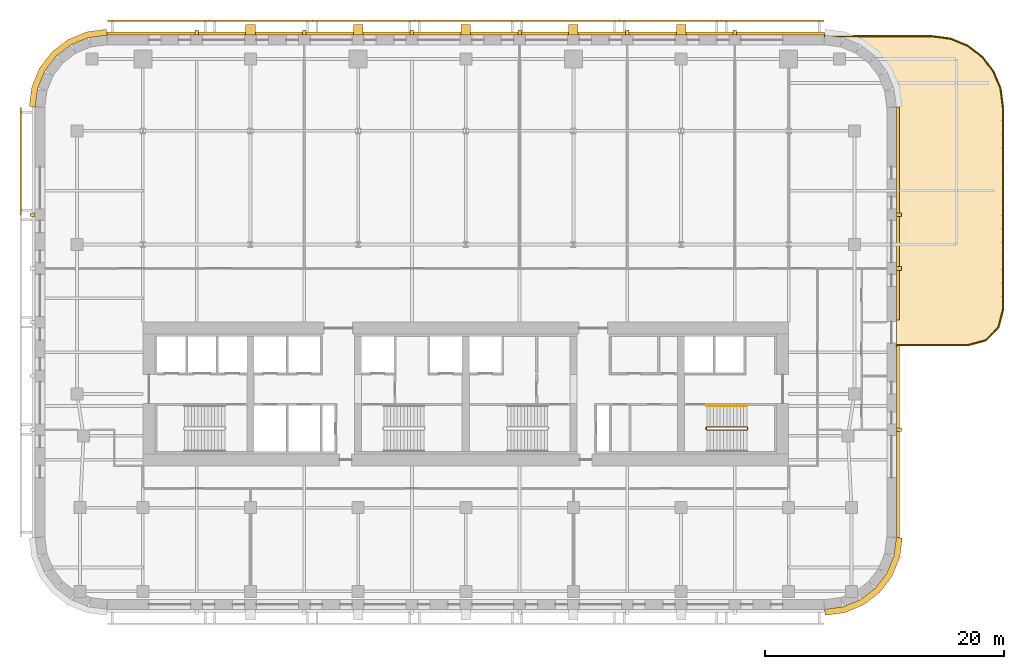
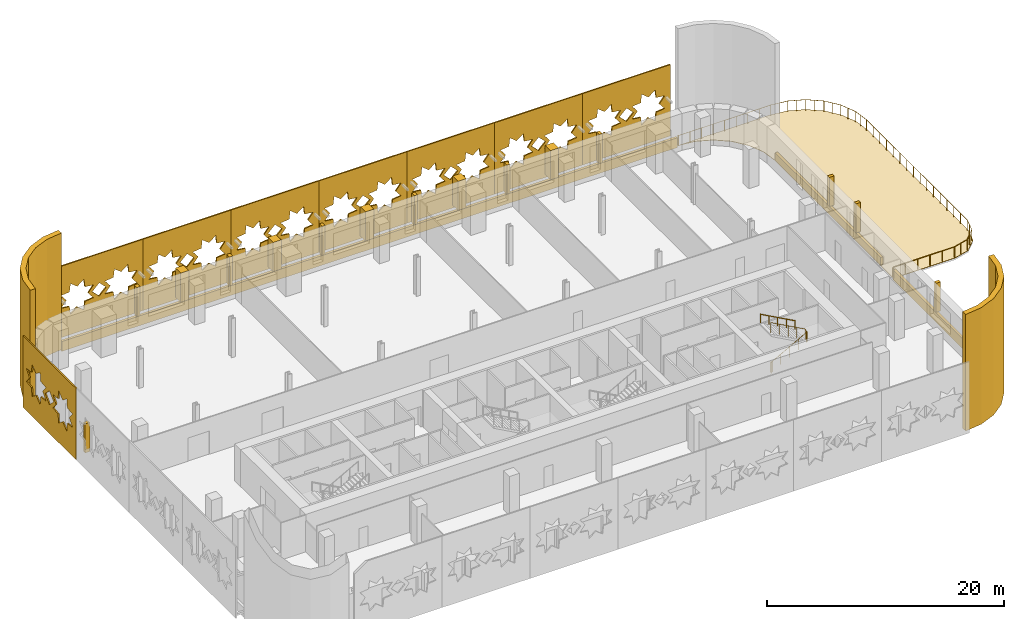
# One storey, part 10 of 11: 29 coverings, 3 railings.
"""IFC4 building model written with IfcOpenShell, lengths in metres."""

from ifc_helpers import new_model, si_unit, direction, frame, origin, origin_2d, place, context, subcontext, project, spatial, polyline, circle, outline, extrude, material, layer, layer_set, type_object, element, save


model = new_model("IFC4")

# Units and contexts
model_context = context("Model", 3, precision=1e-05, world=origin(), true_north=direction((0.0, 1.0)))
body_context = subcontext(model_context, "Body", "Model", "MODEL_VIEW")
ifc_project = project(units=[si_unit("LENGTHUNIT", "METRE"), si_unit("AREAUNIT", "SQUARE_METRE"), si_unit("VOLUMEUNIT", "CUBIC_METRE"), si_unit("PLANEANGLEUNIT", "RADIAN"), si_unit("MASSUNIT", "GRAM", prefix="KILO")], contexts=[model_context])

# Site, building, storey
site_placement = place(None, origin())
site = spatial("IfcSite", under=ifc_project, at=site_placement, CompositionType="ELEMENT")
building_placement = place(site_placement, origin())
building = spatial("IfcBuilding", under=site, at=building_placement, Name="Zellij Exchange Tower", CompositionType="ELEMENT")
storey_placement = place(building_placement, frame((0.0, 0.0, 144.5)))
storey = spatial("IfcBuildingStorey", under=building, at=storey_placement, Name="L32", CompositionType="ELEMENT", Elevation=144.5)

# Railings
ifc_material_1 = material(Name="Stainless steel", Category="steel")
railing_type_1 = type_object("IfcRailingType", Name="CORE-RG stair guard", PredefinedType="GUARDRAIL", material=ifc_material_1)
railing_1_placement = place(storey_placement, frame((20.10009765625, -10.949951171875, 0.0)))
element("IfcRailing", 1, at=railing_1_placement, inside=storey, type_object=railing_type_1, Name="ST4 stair guard L32", PredefinedType="GUARDRAIL", context=body_context, shape_type="SweptSolid", body=[
    extrude(circle(Radius=0.02392578125, at=origin_2d()), frame((0.0, 0.0, 1.076171875), z_axis=(0.0, 1.0, 0.0), x_axis=(-1.0, 0.0, 0.0)), (0.0, 0.0, 1.0), 0.14990234375),
    extrude(circle(Radius=0.02392578125, at=origin_2d()), frame((0.0, 0.14990234375, 1.076171875), z_axis=(0.193691321961, -0.777613689637, 0.598164376644), x_axis=(0.970351222016, 0.241699205484, 0.0)), (0.0, 0.0, 1.0), 0.257080078125),
    extrude(circle(Radius=0.02392578125, at=origin_2d()), frame((0.0498046875, -0.050048828125, 1.22998046875), z_axis=(0.876421534553, 0.0, 0.481544695509), x_axis=(0.0, 1.0, 0.0)), (0.0, 0.0, 1.0), 3.833984375),
    extrude(circle(Radius=0.02392578125, at=origin_2d()), frame((3.409912109375, -0.050048828125, 3.076171875), z_axis=(0.707106781187, 0.707106781187, 0.0), x_axis=(-0.707106781187, 0.707106781187, 0.0)), (0.0, 0.0, 1.0), 0.07080078125),
    extrude(circle(Radius=0.02392578125, at=origin_2d()), frame((3.4599609375, 0.0, 3.076171875), z_axis=(0.0, 1.0, 0.0), x_axis=(-1.0, 0.0, 0.0)), (0.0, 0.0, 1.0), 0.14990234375),
    extrude(circle(Radius=0.02392578125, at=origin_2d()), frame((3.4599609375, 0.14990234375, 3.076171875), z_axis=(-0.295599637079, 0.295599637079, 0.908428152975), x_axis=(-0.707106781187, -0.707106781187, 0.0)), (0.0, 0.0, 1.0), 0.16943359375),
    extrude(circle(Radius=0.02392578125, at=origin_2d()), frame((3.409912109375, 0.199951171875, 3.22998046875), z_axis=(-0.876421534553, 0.0, 0.481544695509), x_axis=(0.0, -1.0, 0.0)), (0.0, 0.0, 1.0), 3.833984375),
    extrude(circle(Radius=0.02099609375, at=origin_2d()), origin(), (0.0, 0.0, 1.0), 1.052001953125),
    extrude(circle(Radius=0.02099609375, at=origin_2d()), frame((0.0, 0.14990234375, 0.0)), (0.0, 0.0, 1.0), 1.052001953125),
    extrude(circle(Radius=0.02099609375, at=origin_2d()), frame((0.0498046875, -0.050048828125, 0.15380859375)), (0.0, 0.0, 1.0), 1.052001953125),
    extrude(circle(Radius=0.02099609375, at=origin_2d()), frame((0.889892578125, -0.050048828125, 0.615234375)), (0.0, 0.0, 1.0), 1.052001953125),
    extrude(circle(Radius=0.02099609375, at=origin_2d()), frame((1.72998046875, -0.050048828125, 1.076904296875)), (0.0, 0.0, 1.0), 1.052001953125),
    extrude(circle(Radius=0.02099609375, at=origin_2d()), frame((2.56982421875, -0.050048828125, 1.53857421875)), (0.0, 0.0, 1.0), 1.052001953125),
    extrude(circle(Radius=0.02099609375, at=origin_2d()), frame((3.409912109375, -0.050048828125, 2.0)), (0.0, 0.0, 1.0), 1.052001953125),
    extrude(circle(Radius=0.02099609375, at=origin_2d()), frame((3.4599609375, 0.0, 2.0)), (0.0, 0.0, 1.0), 1.052001953125),
    extrude(circle(Radius=0.02099609375, at=origin_2d()), frame((3.4599609375, 0.14990234375, 2.0)), (0.0, 0.0, 1.0), 1.052001953125),
    extrude(circle(Radius=0.02099609375, at=origin_2d()), frame((3.409912109375, 0.199951171875, 2.15380859375)), (0.0, 0.0, 1.0), 1.052001953125),
    extrude(circle(Radius=0.02099609375, at=origin_2d()), frame((2.56982421875, 0.199951171875, 2.615234375)), (0.0, 0.0, 1.0), 1.052001953125),
    extrude(circle(Radius=0.02099609375, at=origin_2d()), frame((1.72998046875, 0.199951171875, 3.076904296875)), (0.0, 0.0, 1.0), 1.052001953125),
    extrude(circle(Radius=0.02099609375, at=origin_2d()), frame((0.889892578125, 0.199951171875, 3.53857421875)), (0.0, 0.0, 1.0), 1.052001953125),
    extrude(circle(Radius=0.02099609375, at=origin_2d()), frame((0.0498046875, 0.199951171875, 4.0)), (0.0, 0.0, 1.0), 1.052001953125),
])
railing_type_2 = type_object("IfcRailingType", Name="CORE-RH stair handrail", PredefinedType="HANDRAIL", material=ifc_material_1)
railing_2_placement = place(storey_placement, frame((23.510009765625, -9.0, 2.15380859375)))
element("IfcRailing", 2, at=railing_2_placement, inside=storey, type_object=railing_type_2, Name="ST4 stair handrail L32", PredefinedType="HANDRAIL", context=body_context, shape_type="SweptSolid", body=[
    extrude(circle(Radius=0.02392578125, at=origin_2d()), frame((0.0, 0.0, 0.8759765625), z_axis=(-0.876421534553, 0.0, 0.481544695509), x_axis=(0.0, -1.0, 0.0)), (0.0, 0.0, 1.0), 3.833984375),
    extrude(circle(Radius=0.02099609375, at=origin_2d()), origin(), (0.0, 0.0, 1.0), 0.851806640625),
    extrude(circle(Radius=0.02099609375, at=origin_2d()), frame((-0.840087890625, 0.0, 0.46142578125)), (0.0, 0.0, 1.0), 0.851806640625),
    extrude(circle(Radius=0.02099609375, at=origin_2d()), frame((-1.68017578125, 0.0, 0.923095703125)), (0.0, 0.0, 1.0), 0.851806640625),
    extrude(circle(Radius=0.02099609375, at=origin_2d()), frame((-2.52001953125, 0.0, 1.384765625)), (0.0, 0.0, 1.0), 0.851806640625),
    extrude(circle(Radius=0.02099609375, at=origin_2d()), frame((-3.360107421875, 0.0, 1.84619140625)), (0.0, 0.0, 1.0), 0.851806640625),
])

# Coverings
ifc_material_2 = material(Name="Limestone cladding", Category="masonry")
ifc_layer_1 = layer(ifc_material_2, 0.5)
ifc_layer_set_1 = layer_set([ifc_layer_1], Name="Limestone cladding")
covering_type_1 = type_object("IfcCoveringType", Name="ENV-CV12 Stone corner pier 500", PredefinedType="CLADDING", material=ifc_layer_set_1)
covering_1_placement = place(storey_placement, origin())
element("IfcCovering", 3, at=covering_1_placement, inside=storey, type_object=covering_type_1, Name="Stone corner pier", PredefinedType="CLADDING", context=body_context, shape_type="SweptSolid", body=[
    extrude(outline(polyline([(30.0, -26.0), (31.552978515625, -25.795654296875), (33.0, -25.1962890625), (34.24267578125, -24.24267578125), (35.1962890625, -23.0), (35.795654296875, -21.552978515625), (36.0, -20.0), (36.5, -20.03271484375), (36.28271484375, -21.683349609375), (35.6328125, -23.252197265625), (34.59912109375, -24.59912109375), (33.252197265625, -25.6328125), (31.683349609375, -26.28271484375), (30.03271484375, -26.5), (30.0, -26.0)])), origin(), (0.0, 0.0, 1.0), 12.0),
])
covering_2_placement = place(storey_placement, origin())
element("IfcCovering", 4, at=covering_2_placement, inside=storey, type_object=covering_type_1, Name="Stone corner pier", PredefinedType="CLADDING", context=body_context, shape_type="SweptSolid", body=[
    extrude(outline(polyline([(-30.0, 22.0), (-31.552978515625, 21.795654296875), (-33.0, 21.1962890625), (-34.24267578125, 20.24267578125), (-35.1962890625, 19.0), (-35.795654296875, 17.552978515625), (-36.0, 16.0), (-36.5, 16.03271484375), (-36.28271484375, 17.683349609375), (-35.6328125, 19.252197265625), (-34.59912109375, 20.59912109375), (-33.252197265625, 21.6328125), (-31.683349609375, 22.28271484375), (-30.03271484375, 22.5), (-30.0, 22.0)])), origin(), (0.0, 0.0, 1.0), 12.0),
])
covering_type_2 = type_object("IfcCoveringType", Name="ENV-CV5 Stone pier 800x900", PredefinedType="CLADDING", material=ifc_material_2)
covering_3_placement = place(storey_placement, frame((0.0, 0.0, 0.800048828125)))
element("IfcCovering", 5, at=covering_3_placement, inside=storey, type_object=covering_type_2, Name="Stone pier", PredefinedType="CLADDING", context=body_context, shape_type="SweptSolid", body=[
    extrude(outline(polyline([(18.39990234375, 22.0), (17.60009765625, 22.0), (17.60009765625, 22.89990234375), (18.39990234375, 22.89990234375), (18.39990234375, 22.0)])), origin(), (0.0, 0.0, 1.0), 3.0),
])
covering_4_placement = place(storey_placement, frame((0.0, 0.0, 0.800048828125)))
element("IfcCovering", 6, at=covering_4_placement, inside=storey, type_object=covering_type_2, Name="Stone pier", PredefinedType="CLADDING", context=body_context, shape_type="SweptSolid", body=[
    extrude(outline(polyline([(9.39990234375, 22.0), (8.60009765625, 22.0), (8.60009765625, 22.89990234375), (9.39990234375, 22.89990234375), (9.39990234375, 22.0)])), origin(), (0.0, 0.0, 1.0), 3.0),
])
covering_5_placement = place(storey_placement, frame((0.0, 0.0, 0.800048828125)))
element("IfcCovering", 7, at=covering_5_placement, inside=storey, type_object=covering_type_2, Name="Stone pier", PredefinedType="CLADDING", context=body_context, shape_type="SweptSolid", body=[
    extrude(outline(polyline([(0.39990234375, 22.0), (-0.39990234375, 22.0), (-0.39990234375, 22.89990234375), (0.39990234375, 22.89990234375), (0.39990234375, 22.0)])), origin(), (0.0, 0.0, 1.0), 3.0),
])
covering_6_placement = place(storey_placement, frame((0.0, 0.0, 0.800048828125)))
element("IfcCovering", 8, at=covering_6_placement, inside=storey, type_object=covering_type_2, Name="Stone pier", PredefinedType="CLADDING", context=body_context, shape_type="SweptSolid", body=[
    extrude(outline(polyline([(-8.60009765625, 22.0), (-9.39990234375, 22.0), (-9.39990234375, 22.89990234375), (-8.60009765625, 22.89990234375), (-8.60009765625, 22.0)])), origin(), (0.0, 0.0, 1.0), 3.0),
])
covering_7_placement = place(storey_placement, frame((0.0, 0.0, 0.800048828125)))
element("IfcCovering", 9, at=covering_7_placement, inside=storey, type_object=covering_type_2, Name="Stone pier", PredefinedType="CLADDING", context=body_context, shape_type="SweptSolid", body=[
    extrude(outline(polyline([(-17.60009765625, 22.0), (-18.39990234375, 22.0), (-18.39990234375, 22.89990234375), (-17.60009765625, 22.89990234375), (-17.60009765625, 22.0)])), origin(), (0.0, 0.0, 1.0), 3.0),
])
covering_type_3 = type_object("IfcCoveringType", Name="ENV-CV7 Stone pier 300x450", PredefinedType="CLADDING", material=ifc_material_2)
covering_8_placement = place(storey_placement, frame((0.0, 0.0, 0.800048828125)))
element("IfcCovering", 10, at=covering_8_placement, inside=storey, type_object=covering_type_3, Name="Stone pier", PredefinedType="CLADDING", context=body_context, shape_type="SweptSolid", body=[
    extrude(outline(polyline([(36.0, -11.136962890625), (36.0, -10.8369140625), (36.449951171875, -10.8369140625), (36.449951171875, -11.136962890625), (36.0, -11.136962890625)])), origin(), (0.0, 0.0, 1.0), 3.0),
])
covering_9_placement = place(storey_placement, frame((0.0, 0.0, 0.800048828125)))
element("IfcCovering", 11, at=covering_9_placement, inside=storey, type_object=covering_type_3, Name="Stone pier", PredefinedType="CLADDING", context=body_context, shape_type="SweptSolid", body=[
    extrude(outline(polyline([(36.0, 2.343505859375), (36.0, 2.643310546875), (36.449951171875, 2.643310546875), (36.449951171875, 2.343505859375), (36.0, 2.343505859375)])), origin(), (0.0, 0.0, 1.0), 3.0),
])
covering_10_placement = place(storey_placement, frame((0.0, 0.0, 0.800048828125)))
element("IfcCovering", 12, at=covering_10_placement, inside=storey, type_object=covering_type_3, Name="Stone pier", PredefinedType="CLADDING", context=body_context, shape_type="SweptSolid", body=[
    extrude(outline(polyline([(36.0, 6.8369140625), (36.0, 7.136962890625), (36.449951171875, 7.136962890625), (36.449951171875, 6.8369140625), (36.0, 6.8369140625)])), origin(), (0.0, 0.0, 1.0), 3.0),
])
covering_11_placement = place(storey_placement, frame((0.0, 0.0, 0.800048828125)))
element("IfcCovering", 13, at=covering_11_placement, inside=storey, type_object=covering_type_3, Name="Stone pier", PredefinedType="CLADDING", context=body_context, shape_type="SweptSolid", body=[
    extrude(outline(polyline([(22.64990234375, 22.0), (22.35009765625, 22.0), (22.35009765625, 22.449951171875), (22.64990234375, 22.449951171875), (22.64990234375, 22.0)])), origin(), (0.0, 0.0, 1.0), 3.0),
])
covering_12_placement = place(storey_placement, frame((0.0, 0.0, 0.800048828125)))
element("IfcCovering", 14, at=covering_12_placement, inside=storey, type_object=covering_type_3, Name="Stone pier", PredefinedType="CLADDING", context=body_context, shape_type="SweptSolid", body=[
    extrude(outline(polyline([(13.64990234375, 22.0), (13.35009765625, 22.0), (13.35009765625, 22.449951171875), (13.64990234375, 22.449951171875), (13.64990234375, 22.0)])), origin(), (0.0, 0.0, 1.0), 3.0),
])
covering_13_placement = place(storey_placement, frame((0.0, 0.0, 0.800048828125)))
element("IfcCovering", 15, at=covering_13_placement, inside=storey, type_object=covering_type_3, Name="Stone pier", PredefinedType="CLADDING", context=body_context, shape_type="SweptSolid", body=[
    extrude(outline(polyline([(4.64990234375, 22.0), (4.35009765625, 22.0), (4.35009765625, 22.449951171875), (4.64990234375, 22.449951171875), (4.64990234375, 22.0)])), origin(), (0.0, 0.0, 1.0), 3.0),
])
covering_14_placement = place(storey_placement, frame((0.0, 0.0, 0.800048828125)))
element("IfcCovering", 16, at=covering_14_placement, inside=storey, type_object=covering_type_3, Name="Stone pier", PredefinedType="CLADDING", context=body_context, shape_type="SweptSolid", body=[
    extrude(outline(polyline([(-4.35009765625, 22.0), (-4.64990234375, 22.0), (-4.64990234375, 22.449951171875), (-4.35009765625, 22.449951171875), (-4.35009765625, 22.0)])), origin(), (0.0, 0.0, 1.0), 3.0),
])
covering_15_placement = place(storey_placement, frame((0.0, 0.0, 0.800048828125)))
element("IfcCovering", 17, at=covering_15_placement, inside=storey, type_object=covering_type_3, Name="Stone pier", PredefinedType="CLADDING", context=body_context, shape_type="SweptSolid", body=[
    extrude(outline(polyline([(-13.35009765625, 22.0), (-13.64990234375, 22.0), (-13.64990234375, 22.449951171875), (-13.35009765625, 22.449951171875), (-13.35009765625, 22.0)])), origin(), (0.0, 0.0, 1.0), 3.0),
])
covering_16_placement = place(storey_placement, frame((0.0, 0.0, 0.800048828125)))
element("IfcCovering", 18, at=covering_16_placement, inside=storey, type_object=covering_type_3, Name="Stone pier", PredefinedType="CLADDING", context=body_context, shape_type="SweptSolid", body=[
    extrude(outline(polyline([(-22.35009765625, 22.0), (-22.64990234375, 22.0), (-22.64990234375, 22.449951171875), (-22.35009765625, 22.449951171875), (-22.35009765625, 22.0)])), origin(), (0.0, 0.0, 1.0), 3.0),
])
covering_17_placement = place(storey_placement, frame((0.0, 0.0, 0.800048828125)))
element("IfcCovering", 19, at=covering_17_placement, inside=storey, type_object=covering_type_3, Name="Stone pier", PredefinedType="CLADDING", context=body_context, shape_type="SweptSolid", body=[
    extrude(outline(polyline([(-36.0, 7.136962890625), (-36.0, 6.8369140625), (-36.449951171875, 6.8369140625), (-36.449951171875, 7.136962890625), (-36.0, 7.136962890625)])), origin(), (0.0, 0.0, 1.0), 3.0),
])
ifc_layer_2 = layer(ifc_material_2, 0.25)
ifc_layer_set_2 = layer_set([ifc_layer_2], Name="Limestone cladding")
covering_type_4 = type_object("IfcCoveringType", Name="ENV-CV8 Stone spandrel band 250", PredefinedType="CLADDING", material=ifc_layer_set_2)
covering_18_placement = place(storey_placement, frame((0.0, 0.0, -0.199951171875)))
element("IfcCovering", 20, at=covering_18_placement, inside=storey, type_object=covering_type_4, Name="Stone spandrel band", PredefinedType="CLADDING", context=body_context, shape_type="SweptSolid", body=[
    extrude(outline(polyline([(36.0, -19.973876953125), (36.0, -3.89990234375), (36.25, -3.89990234375), (36.25, -19.990234375), (36.0, -19.973876953125)])), origin(), (0.0, 0.0, 1.0), 1.0),
])
covering_19_placement = place(storey_placement, origin())
element("IfcCovering", 21, at=covering_19_placement, inside=storey, type_object=covering_type_4, Name="Stone spandrel band", PredefinedType="CLADDING", context=body_context, shape_type="SweptSolid", body=[
    extrude(outline(polyline([(36.0, -1.800048828125), (36.0, 15.973876953125), (36.25, 15.990234375), (36.25, -1.800048828125), (36.0, -1.800048828125)])), origin(), (0.0, 0.0, 1.0), 0.800048828125),
])
covering_20_placement = place(storey_placement, frame((0.0, 0.0, -0.199951171875)))
element("IfcCovering", 22, at=covering_20_placement, inside=storey, type_object=covering_type_4, Name="Stone spandrel band", PredefinedType="CLADDING", context=body_context, shape_type="SweptSolid", body=[
    extrude(outline(polyline([(29.973876953125, 22.0), (-29.973876953125, 22.0), (-29.990234375, 22.25), (29.990234375, 22.25), (29.973876953125, 22.0)])), origin(), (0.0, 0.0, 1.0), 1.0),
])

# Railing
ifc_material_3 = material(Name="Bronze-finished aluminium", Category="aluminium")
railing_type_3 = type_object("IfcRailingType", Name="ENV-GR1 Terrace guard", PredefinedType="GUARDRAIL", material=ifc_material_3)
railing_3_placement = place(storey_placement, frame((36.0, -4.0, 0.0)))
element("IfcRailing", 23, at=railing_3_placement, inside=storey, type_object=railing_type_3, Name="Terrace guard", PredefinedType="GUARDRAIL", context=body_context, shape_type="SweptSolid", body=[
    extrude(circle(Radius=0.02490234375, at=origin_2d()), frame((0.0, 0.0, 1.0751953125), z_axis=(0.0, 1.0, 0.0), x_axis=(-1.0, 0.0, 0.0)), (0.0, 0.0, 1.0), 0.10009765625),
    extrude(circle(Radius=0.02490234375, at=origin_2d()), frame((0.0, 0.10009765625, 1.0751953125), z_axis=(1.0, 0.0, 0.0), x_axis=(0.0, 1.0, 0.0)), (0.0, 0.0, 1.0), 5.98681640625),
    extrude(circle(Radius=0.02490234375, at=origin_2d()), frame((5.98681640625, 0.10009765625, 1.0751953125), z_axis=(0.965923561749, 0.258827496332, 0.0), x_axis=(-0.258827496332, 0.965923561749, 0.0)), (0.0, 0.0, 1.0), 1.512939453125),
    extrude(circle(Radius=0.02490234375, at=origin_2d()), frame((7.4482421875, 0.49169921875, 1.0751953125), z_axis=(0.707106781187, 0.707106781187, 0.0), x_axis=(-0.707106781187, 0.707106781187, 0.0)), (0.0, 0.0, 1.0), 1.499267578125),
    extrude(circle(Radius=0.02490234375, at=origin_2d()), frame((8.50830078125, 1.5517578125, 1.0751953125), z_axis=(0.258827496332, 0.965923561749, 0.0), x_axis=(-0.965923561749, 0.258827496332, 0.0)), (0.0, 0.0, 1.0), 1.512939453125),
    extrude(circle(Radius=0.02490234375, at=origin_2d()), frame((8.89990234375, 3.01318359375, 1.0751953125), z_axis=(0.0, 1.0, 0.0), x_axis=(-1.0, 0.0, 0.0)), (0.0, 0.0, 1.0), 16.980224609375),
    extrude(circle(Radius=0.02490234375, at=origin_2d()), frame((8.89990234375, 19.993408203125, 1.0751953125), z_axis=(-0.130385096405, 0.991463426777, 0.0), x_axis=(-0.991463426777, -0.130385096405, 0.0)), (0.0, 0.0, 1.0), 1.546630859375),
    extrude(circle(Radius=0.02490234375, at=origin_2d()), frame((8.6982421875, 21.52685546875, 1.0751953125), z_axis=(-0.382678474425, 0.923881586142, 0.0), x_axis=(-0.923881586142, -0.382678474425, 0.0)), (0.0, 0.0, 1.0), 1.5400390625),
    extrude(circle(Radius=0.02490234375, at=origin_2d()), frame((8.10888671875, 22.94970703125, 1.0751953125), z_axis=(-0.608790940556, 0.793330694412, 0.0), x_axis=(-0.793330694412, -0.608790940556, 0.0)), (0.0, 0.0, 1.0), 1.5400390625),
    extrude(circle(Radius=0.02490234375, at=origin_2d()), frame((7.17138671875, 24.17138671875, 1.0751953125), z_axis=(-0.793330694412, 0.608790940556, 0.0), x_axis=(-0.608790940556, -0.793330694412, 0.0)), (0.0, 0.0, 1.0), 1.5400390625),
    extrude(circle(Radius=0.02490234375, at=origin_2d()), frame((5.94970703125, 25.10888671875, 1.0751953125), z_axis=(-0.923881586142, 0.382678474425, 0.0), x_axis=(-0.382678474425, -0.923881586142, 0.0)), (0.0, 0.0, 1.0), 1.5400390625),
    extrude(circle(Radius=0.02490234375, at=origin_2d()), frame((4.52685546875, 25.6982421875, 1.0751953125), z_axis=(-0.991463426777, 0.130385096405, 0.0), x_axis=(-0.130385096405, -0.991463426777, 0.0)), (0.0, 0.0, 1.0), 1.546630859375),
    extrude(circle(Radius=0.02490234375, at=origin_2d()), frame((2.993408203125, 25.89990234375, 1.0751953125), z_axis=(-1.0, 0.0, 0.0), x_axis=(0.0, -1.0, 0.0)), (0.0, 0.0, 1.0), 8.99267578125),
    extrude(circle(Radius=0.02490234375, at=origin_2d()), frame((-5.999267578125, 25.89990234375, 1.0751953125), z_axis=(0.0, 1.0, 0.0), x_axis=(-1.0, 0.0, 0.0)), (0.0, 0.0, 1.0), 0.10009765625),
    extrude(circle(Radius=0.030029296875, at=origin_2d()), origin(), (0.0, 0.0, 1.0), 1.050048828125),
    extrude(circle(Radius=0.030029296875, at=origin_2d()), frame((0.0, 0.10009765625, 0.0)), (0.0, 0.0, 1.0), 1.050048828125),
    extrude(circle(Radius=0.030029296875, at=origin_2d()), frame((1.197265625, 0.10009765625, 0.0)), (0.0, 0.0, 1.0), 1.050048828125),
    extrude(circle(Radius=0.030029296875, at=origin_2d()), frame((2.394775390625, 0.10009765625, 0.0)), (0.0, 0.0, 1.0), 1.050048828125),
    extrude(circle(Radius=0.030029296875, at=origin_2d()), frame((3.592041015625, 0.10009765625, 0.0)), (0.0, 0.0, 1.0), 1.050048828125),
    extrude(circle(Radius=0.030029296875, at=origin_2d()), frame((4.78955078125, 0.10009765625, 0.0)), (0.0, 0.0, 1.0), 1.050048828125),
    extrude(circle(Radius=0.030029296875, at=origin_2d()), frame((5.98681640625, 0.10009765625, 0.0)), (0.0, 0.0, 1.0), 1.050048828125),
    extrude(circle(Radius=0.030029296875, at=origin_2d()), frame((6.717529296875, 0.2958984375, 0.0)), (0.0, 0.0, 1.0), 1.050048828125),
    extrude(circle(Radius=0.030029296875, at=origin_2d()), frame((7.4482421875, 0.49169921875, 0.0)), (0.0, 0.0, 1.0), 1.050048828125),
    extrude(circle(Radius=0.030029296875, at=origin_2d()), frame((7.978271484375, 1.021728515625, 0.0)), (0.0, 0.0, 1.0), 1.050048828125),
    extrude(circle(Radius=0.030029296875, at=origin_2d()), frame((8.50830078125, 1.5517578125, 0.0)), (0.0, 0.0, 1.0), 1.050048828125),
    extrude(circle(Radius=0.030029296875, at=origin_2d()), frame((8.7041015625, 2.282470703125, 0.0)), (0.0, 0.0, 1.0), 1.050048828125),
    extrude(circle(Radius=0.030029296875, at=origin_2d()), frame((8.89990234375, 3.01318359375, 0.0)), (0.0, 0.0, 1.0), 1.050048828125),
    extrude(circle(Radius=0.030029296875, at=origin_2d()), frame((8.89990234375, 4.145263671875, 0.0)), (0.0, 0.0, 1.0), 1.050048828125),
    extrude(circle(Radius=0.030029296875, at=origin_2d()), frame((8.89990234375, 5.277099609375, 0.0)), (0.0, 0.0, 1.0), 1.050048828125),
    extrude(circle(Radius=0.030029296875, at=origin_2d()), frame((8.89990234375, 6.4091796875, 0.0)), (0.0, 0.0, 1.0), 1.050048828125),
    extrude(circle(Radius=0.030029296875, at=origin_2d()), frame((8.89990234375, 7.541259765625, 0.0)), (0.0, 0.0, 1.0), 1.050048828125),
    extrude(circle(Radius=0.030029296875, at=origin_2d()), frame((8.89990234375, 8.67333984375, 0.0)), (0.0, 0.0, 1.0), 1.050048828125),
    extrude(circle(Radius=0.030029296875, at=origin_2d()), frame((8.89990234375, 9.80517578125, 0.0)), (0.0, 0.0, 1.0), 1.050048828125),
    extrude(circle(Radius=0.030029296875, at=origin_2d()), frame((8.89990234375, 10.937255859375, 0.0)), (0.0, 0.0, 1.0), 1.050048828125),
    extrude(circle(Radius=0.030029296875, at=origin_2d()), frame((8.89990234375, 12.0693359375, 0.0)), (0.0, 0.0, 1.0), 1.050048828125),
    extrude(circle(Radius=0.030029296875, at=origin_2d()), frame((8.89990234375, 13.201416015625, 0.0)), (0.0, 0.0, 1.0), 1.050048828125),
    extrude(circle(Radius=0.030029296875, at=origin_2d()), frame((8.89990234375, 14.333251953125, 0.0)), (0.0, 0.0, 1.0), 1.050048828125),
    extrude(circle(Radius=0.030029296875, at=origin_2d()), frame((8.89990234375, 15.46533203125, 0.0)), (0.0, 0.0, 1.0), 1.050048828125),
    extrude(circle(Radius=0.030029296875, at=origin_2d()), frame((8.89990234375, 16.597412109375, 0.0)), (0.0, 0.0, 1.0), 1.050048828125),
    extrude(circle(Radius=0.030029296875, at=origin_2d()), frame((8.89990234375, 17.7294921875, 0.0)), (0.0, 0.0, 1.0), 1.050048828125),
    extrude(circle(Radius=0.030029296875, at=origin_2d()), frame((8.89990234375, 18.861328125, 0.0)), (0.0, 0.0, 1.0), 1.050048828125),
    extrude(circle(Radius=0.030029296875, at=origin_2d()), frame((8.89990234375, 19.993408203125, 0.0)), (0.0, 0.0, 1.0), 1.050048828125),
    extrude(circle(Radius=0.030029296875, at=origin_2d()), frame((8.799072265625, 20.76025390625, 0.0)), (0.0, 0.0, 1.0), 1.050048828125),
    extrude(circle(Radius=0.030029296875, at=origin_2d()), frame((8.6982421875, 21.52685546875, 0.0)), (0.0, 0.0, 1.0), 1.050048828125),
    extrude(circle(Radius=0.030029296875, at=origin_2d()), frame((8.403564453125, 22.23828125, 0.0)), (0.0, 0.0, 1.0), 1.050048828125),
    extrude(circle(Radius=0.030029296875, at=origin_2d()), frame((8.10888671875, 22.94970703125, 0.0)), (0.0, 0.0, 1.0), 1.050048828125),
    extrude(circle(Radius=0.030029296875, at=origin_2d()), frame((7.64013671875, 23.560546875, 0.0)), (0.0, 0.0, 1.0), 1.050048828125),
    extrude(circle(Radius=0.030029296875, at=origin_2d()), frame((7.17138671875, 24.17138671875, 0.0)), (0.0, 0.0, 1.0), 1.050048828125),
    extrude(circle(Radius=0.030029296875, at=origin_2d()), frame((6.560546875, 24.64013671875, 0.0)), (0.0, 0.0, 1.0), 1.050048828125),
    extrude(circle(Radius=0.030029296875, at=origin_2d()), frame((5.94970703125, 25.10888671875, 0.0)), (0.0, 0.0, 1.0), 1.050048828125),
    extrude(circle(Radius=0.030029296875, at=origin_2d()), frame((5.23828125, 25.403564453125, 0.0)), (0.0, 0.0, 1.0), 1.050048828125),
    extrude(circle(Radius=0.030029296875, at=origin_2d()), frame((4.52685546875, 25.6982421875, 0.0)), (0.0, 0.0, 1.0), 1.050048828125),
    extrude(circle(Radius=0.030029296875, at=origin_2d()), frame((3.76025390625, 25.799072265625, 0.0)), (0.0, 0.0, 1.0), 1.050048828125),
    extrude(circle(Radius=0.030029296875, at=origin_2d()), frame((2.993408203125, 25.89990234375, 0.0)), (0.0, 0.0, 1.0), 1.050048828125),
    extrude(circle(Radius=0.030029296875, at=origin_2d()), frame((1.869384765625, 25.89990234375, 0.0)), (0.0, 0.0, 1.0), 1.050048828125),
    extrude(circle(Radius=0.030029296875, at=origin_2d()), frame((0.7451171875, 25.89990234375, 0.0)), (0.0, 0.0, 1.0), 1.050048828125),
    extrude(circle(Radius=0.030029296875, at=origin_2d()), frame((-0.37890625, 25.89990234375, 0.0)), (0.0, 0.0, 1.0), 1.050048828125),
    extrude(circle(Radius=0.030029296875, at=origin_2d()), frame((-1.5029296875, 25.89990234375, 0.0)), (0.0, 0.0, 1.0), 1.050048828125),
    extrude(circle(Radius=0.030029296875, at=origin_2d()), frame((-2.626953125, 25.89990234375, 0.0)), (0.0, 0.0, 1.0), 1.050048828125),
    extrude(circle(Radius=0.030029296875, at=origin_2d()), frame((-3.7509765625, 25.89990234375, 0.0)), (0.0, 0.0, 1.0), 1.050048828125),
    extrude(circle(Radius=0.030029296875, at=origin_2d()), frame((-4.875244140625, 25.89990234375, 0.0)), (0.0, 0.0, 1.0), 1.050048828125),
    extrude(circle(Radius=0.030029296875, at=origin_2d()), frame((-5.999267578125, 25.89990234375, 0.0)), (0.0, 0.0, 1.0), 1.050048828125),
    extrude(circle(Radius=0.030029296875, at=origin_2d()), frame((-5.999267578125, 26.0, 0.0)), (0.0, 0.0, 1.0), 1.050048828125),
])

# Coverings
ifc_material_4 = material(Name="Limestone paving", Category="masonry")
ifc_layer_3 = layer(ifc_material_4, 0.0400390625)
ifc_layer_set_3 = layer_set([ifc_layer_3], Name="Limestone paving")
covering_type_5 = type_object("IfcCoveringType", Name="ENV-PV2 Terrace paving 40", PredefinedType="FLOORING", material=ifc_layer_set_3)
covering_21_placement = place(storey_placement, frame((0.0, 0.0, -0.0400390625)))
element("IfcCovering", 24, at=covering_21_placement, inside=storey, type_object=covering_type_5, Name="Terrace paving", PredefinedType="FLOORING", context=body_context, shape_type="SweptSolid", body=[
    extrude(outline(polyline([(42.0, 21.1962890625), (40.552978515625, 21.795654296875), (39.0, 22.0), (30.0, 22.0), (31.552978515625, 21.795654296875), (33.0, 21.1962890625), (34.24267578125, 20.24267578125), (35.1962890625, 19.0), (35.795654296875, 17.552978515625), (36.0, 16.0), (36.0, -4.0), (42.0, -4.0), (43.5, -3.59814453125), (44.59814453125, -2.5), (45.0, -1.0), (45.0, 16.0), (44.795654296875, 17.552978515625), (44.1962890625, 19.0), (43.24267578125, 20.24267578125), (42.0, 21.1962890625)])), origin(), (0.0, 0.0, 1.0), 0.0400390625),
])
ifc_material_5 = material(Name="Limestone screen", Category="masonry")
ifc_layer_4 = layer(ifc_material_5, 0.1201171875)
ifc_layer_set_4 = layer_set([ifc_layer_4], Name="Limestone screen")
covering_type_6 = type_object("IfcCoveringType", Name="ENV-SC1 Pierced stone screen 120", PredefinedType="USERDEFINED", material=ifc_layer_set_4)
covering_22_placement = place(storey_placement, frame((-37.2099609375, 15.947509765625, 0.300048828125), z_axis=(0.0, 0.0, 1.0), x_axis=(0.0, -1.0, 0.0)))
element("IfcCovering", 25, at=covering_22_placement, inside=storey, type_object=covering_type_6, Name="Pierced stone screen", ObjectType="SCREEN", PredefinedType="USERDEFINED", context=body_context, shape_type="SweptSolid", body=[
    extrude(outline(polyline([(0.0, 0.0), (8.973876953125, 0.0), (8.973876953125, 7.35009765625), (0.0, 7.35009765625), (0.0, 0.0)]), holes=[polyline([(3.901611328125, 4.36181640625), (3.0302734375, 4.4619140625), (2.930419921875, 5.3330078125), (2.243408203125, 4.787841796875), (1.556640625, 5.3330078125), (1.45654296875, 4.4619140625), (0.585205078125, 4.36181640625), (1.130615234375, 3.675048828125), (0.585205078125, 2.98828125), (1.45654296875, 2.88818359375), (1.556640625, 2.016845703125), (2.243408203125, 2.562255859375), (2.930419921875, 2.016845703125), (3.0302734375, 2.88818359375), (3.901611328125, 2.98828125), (3.356201171875, 3.675048828125), (3.901611328125, 4.36181640625)]), polyline([(8.388427734375, 4.36181640625), (7.51708984375, 4.4619140625), (7.417236328125, 5.3330078125), (6.730224609375, 4.787841796875), (6.04345703125, 5.3330078125), (5.943603515625, 4.4619140625), (5.072265625, 4.36181640625), (5.61767578125, 3.675048828125), (5.072265625, 2.98828125), (5.943603515625, 2.88818359375), (6.04345703125, 2.016845703125), (6.730224609375, 2.562255859375), (7.417236328125, 2.016845703125), (7.51708984375, 2.88818359375), (8.388427734375, 2.98828125), (7.843017578125, 3.675048828125), (8.388427734375, 4.36181640625)]), polyline([(5.204833984375, 3.675048828125), (4.48681640625, 4.392822265625), (3.76904296875, 3.675048828125), (4.48681640625, 2.95703125), (5.204833984375, 3.675048828125)])]), frame((0.0, 0.06005859375, 0.0), z_axis=(0.0, -1.0, 0.0), x_axis=(1.0, 0.0, 0.0)), (0.0, 0.0, 1.0), 0.1201171875),
])
for number, where, z_axis, x_axis, name in (
    (26, (29.947509765625, 23.2099609375, 0.300048828125), (0.0, 0.0, 1.0), (-1.0, 0.0, 0.0), "Pierced stone screen"),
    (27, (21.39111328125, 23.2099609375, 0.300048828125), (0.0, 0.0, 1.0), (-1.0, 0.0, 0.0), "Pierced stone screen"),
    (28, (12.834716796875, 23.2099609375, 0.300048828125), (0.0, 0.0, 1.0), (-1.0, 0.0, 0.0), "Pierced stone screen"),
    (29, (4.2783203125, 23.2099609375, 0.300048828125), (0.0, 0.0, 1.0), (-1.0, 0.0, 0.0), "Pierced stone screen"),
    (30, (-4.2783203125, 23.2099609375, 0.300048828125), (0.0, 0.0, 1.0), (-1.0, 0.0, 0.0), "Pierced stone screen"),
    (31, (-12.834716796875, 23.2099609375, 0.300048828125), (0.0, 0.0, 1.0), (-1.0, 0.0, 0.0), "Pierced stone screen"),
    (32, (-21.39111328125, 23.2099609375, 0.300048828125), (0.0, 0.0, 1.0), (-1.0, 0.0, 0.0), "Pierced stone screen"),
):
    element("IfcCovering", number, at=place(storey_placement, frame(where, z_axis=z_axis, x_axis=x_axis)), inside=storey, type_object=covering_type_6, Name=name, ObjectType="SCREEN", PredefinedType="USERDEFINED", context=body_context, shape_type="SweptSolid", body=[
        extrude(outline(polyline([(0.0, 0.0), (8.556396484375, 0.0), (8.556396484375, 7.35009765625), (0.0, 7.35009765625), (0.0, 0.0)]), holes=[polyline([(3.72021484375, 4.329833984375), (2.889404296875, 4.42529296875), (2.7939453125, 5.256103515625), (2.13916015625, 4.736083984375), (1.484130859375, 5.256103515625), (1.388916015625, 4.42529296875), (0.55810546875, 4.329833984375), (1.078125, 3.675048828125), (0.55810546875, 3.02001953125), (1.388916015625, 2.9248046875), (1.484130859375, 2.093994140625), (2.13916015625, 2.614013671875), (2.7939453125, 2.093994140625), (2.889404296875, 2.9248046875), (3.72021484375, 3.02001953125), (3.2001953125, 3.675048828125), (3.72021484375, 4.329833984375)]), polyline([(7.998291015625, 4.329833984375), (7.16748046875, 4.42529296875), (7.072265625, 5.256103515625), (6.417236328125, 4.736083984375), (5.762451171875, 5.256103515625), (5.6669921875, 4.42529296875), (4.836181640625, 4.329833984375), (5.356201171875, 3.675048828125), (4.836181640625, 3.02001953125), (5.6669921875, 2.9248046875), (5.762451171875, 2.093994140625), (6.417236328125, 2.614013671875), (7.072265625, 2.093994140625), (7.16748046875, 2.9248046875), (7.998291015625, 3.02001953125), (7.478271484375, 3.675048828125), (7.998291015625, 4.329833984375)]), polyline([(4.962646484375, 3.675048828125), (4.2783203125, 4.359619140625), (3.59375, 3.675048828125), (4.2783203125, 2.990478515625), (4.962646484375, 3.675048828125)])]), frame((0.0, 0.06005859375, 0.0), z_axis=(0.0, -1.0, 0.0), x_axis=(1.0, 0.0, 0.0)), (0.0, 0.0, 1.0), 0.1201171875),
    ])

save(model, "model.ifc")
